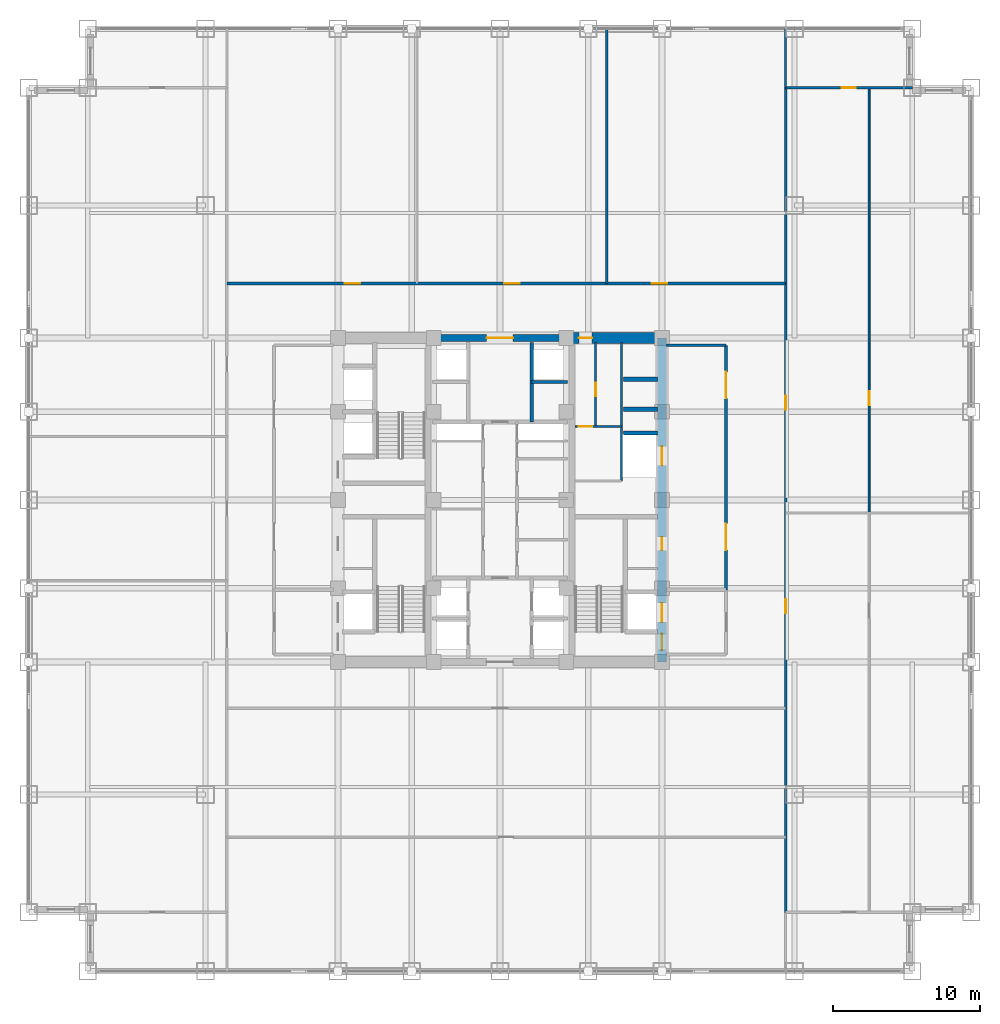
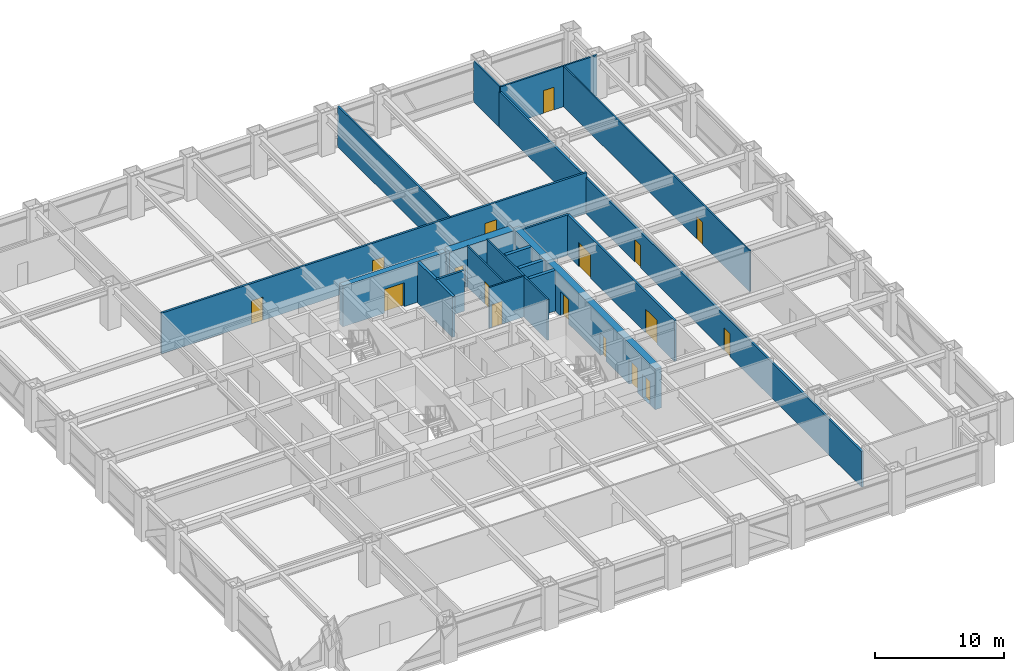
# One storey, part 26 of 28: 19 walls, 17 doors, 17 openings.
"""IFC4 building model written with IfcOpenShell, lengths in metres."""

from ifc_helpers import new_model, si_unit, direction, frame, frame_2d, origin, place, context, subcontext, project, spatial, rectangle, extrude, source, transform, mapped, material, layer, layer_set, type_object, element, fill, save


model = new_model("IFC4")

# Units and contexts
model_context = context("Model", 3, precision=1e-05, world=origin(), true_north=direction((0.0, 1.0)))
body_context = subcontext(model_context, "Body", "Model", "MODEL_VIEW")
ifc_project = project(units=[si_unit("LENGTHUNIT", "METRE"), si_unit("AREAUNIT", "SQUARE_METRE"), si_unit("VOLUMEUNIT", "CUBIC_METRE"), si_unit("PLANEANGLEUNIT", "RADIAN"), si_unit("MASSUNIT", "GRAM", prefix="KILO")], contexts=[model_context])

# Site, building, storey
site_placement = place(None, origin())
site = spatial("IfcSite", under=ifc_project, at=site_placement, CompositionType="ELEMENT")
building_placement = place(site_placement, origin())
building = spatial("IfcBuilding", under=site, at=building_placement, Name="Khorayat Bourse Tower", CompositionType="ELEMENT")
storey_placement = place(building_placement, frame((0.0, 0.0, 120.10009765625)))
storey = spatial("IfcBuildingStorey", under=building, at=storey_placement, Name="L27", CompositionType="ELEMENT", Elevation=120.10009765625)

# Wall, openings, doors
ifc_material_1 = material(Name="Concrete C60/75", Category="concrete")
ifc_layer_1 = layer(ifc_material_1, 0.60009765625)
ifc_layer_set_1 = layer_set([ifc_layer_1], Name="Concrete C60/75")
wall_type_1 = type_object("IfcWallType", Name="WAL-CORE-600", PredefinedType="SHEAR", material=ifc_layer_set_1)
shared_shape_1 = source(origin(), body_context, "Body", "SweptSolid", [
    extrude(rectangle(XDim=22.0, YDim=0.60009765625, at=frame_2d((11.0, 0.0))), origin(), (0.0, 0.0, 1.0), 3.83984375),
])
wall_1_placement = place(storey_placement, frame((11.0, -11.0, 0.0), z_axis=(0.0, 0.0, 1.0), x_axis=(0.0, 1.0, 0.0)))
wall_1 = element("IfcWall", 1, at=wall_1_placement, inside=storey, type_object=wall_type_1, Name="L27 Core Shear Wall CORE-E", PredefinedType="SHEAR", context=body_context, shape_type="MappedRepresentation", body=[
    mapped(shared_shape_1, transform((0.0, 0.0, 0.0), scale=1.0)),
])
shared_shape_2 = source(origin(), body_context, "Body", "SweptSolid", [
    extrude(rectangle(XDim=1.10009765625, YDim=2.199951171875, at=frame_2d((0.550048828125, 1.10009765625))), frame((0.0, 0.31005859375, 0.0), z_axis=(0.0, -1.0, 0.0), x_axis=(1.0, 0.0, 0.0)), (0.0, 0.0, 1.0), 0.6201171875),
])
opening_1_placement = place(wall_1_placement, frame((0.800048828125, 0.0, 0.0)))
opening_1 = element("IfcOpeningElement", 2, at=opening_1_placement, cuts=wall_1, Name="Opening DI-01", PredefinedType="OPENING", context=body_context, shape_type="MappedRepresentation", body=[
    mapped(shared_shape_2, transform((0.0, 0.0, 0.0), scale=1.0)),
])
shared_shape_3 = source(origin(), body_context, "Body", "SweptSolid", [
    extrude(rectangle(XDim=0.89990234375, YDim=2.14990234375, at=frame_2d((0.449951171875, 1.074951171875))), frame((0.0, 0.31005859375, 0.0), z_axis=(0.0, -1.0, 0.0), x_axis=(1.0, 0.0, 0.0)), (0.0, 0.0, 1.0), 0.6201171875),
])
opening_2_placement = place(wall_1_placement, frame((7.574951171875, 0.0, 0.0)))
opening_2 = element("IfcOpeningElement", 3, at=opening_2_placement, cuts=wall_1, Name="Opening DI-06", PredefinedType="OPENING", context=body_context, shape_type="MappedRepresentation", body=[
    mapped(shared_shape_3, transform((0.0, 0.0, 0.0), scale=1.0)),
])
shared_shape_4 = source(origin(), body_context, "Body", "SweptSolid", [
    extrude(rectangle(XDim=1.300048828125, YDim=2.300048828125, at=frame_2d((0.64990234375, 1.14990234375))), frame((0.0, 0.31005859375, 0.0), z_axis=(0.0, -1.0, 0.0), x_axis=(1.0, 0.0, 0.0)), (0.0, 0.0, 1.0), 0.6201171875),
])
opening_3_placement = place(wall_1_placement, frame((2.699951171875, 0.0, 0.0)))
opening_3 = element("IfcOpeningElement", 4, at=opening_3_placement, cuts=wall_1, Name="Opening LD-02", PredefinedType="OPENING", context=body_context, shape_type="MappedRepresentation", body=[
    mapped(shared_shape_4, transform((0.0, 0.0, 0.0), scale=1.0)),
])
opening_4_placement = place(wall_1_placement, frame((13.35009765625, 0.0, 0.0)))
opening_4 = element("IfcOpeningElement", 5, at=opening_4_placement, cuts=wall_1, Name="Opening LD-02", PredefinedType="OPENING", context=body_context, shape_type="MappedRepresentation", body=[
    mapped(shared_shape_4, transform((0.0, 0.0, 0.0), scale=1.0)),
])
ifc_material_2 = material(Name="Fire-rated steel acoustic leaf", Category="steel")
door_type_1 = type_object("IfcDoorType", Name="DR-INT-STAIR-1100", OperationType="NOTDEFINED", PredefinedType="DOOR", material=ifc_material_2)
shared_shape_5 = source(origin(), body_context, "Body", "SweptSolid", [
    extrude(rectangle(XDim=1.10009765625, YDim=2.199951171875, at=frame_2d((0.550048828125, 1.10009765625))), frame((0.0, 0.02490234375, 0.0), z_axis=(0.0, -1.0, 0.0), x_axis=(1.0, 0.0, 0.0)), (0.0, 0.0, 1.0), 0.050048828125),
])
door_1_placement = place(opening_1_placement, origin())
door_1 = element("IfcDoor", 6, at=door_1_placement, inside=storey, type_object=door_type_1, Name="L27 Exit Stair 3 Door", OperationType="SINGLE_SWING_LEFT", OverallHeight=2.199951171875, OverallWidth=1.10009765625, PredefinedType="DOOR", context=body_context, shape_type="MappedRepresentation", body=[
    mapped(shared_shape_5, transform((0.0, 0.0, 0.0), scale=1.0)),
])
fill(opening_1, door_1)
ifc_material_3 = material(Name="Moisture-resistant laminate washroom door")
door_type_2 = type_object("IfcDoorType", Name="DR-INT-WC-900", OperationType="NOTDEFINED", PredefinedType="DOOR", material=ifc_material_3)
shared_shape_6 = source(origin(), body_context, "Body", "SweptSolid", [
    extrude(rectangle(XDim=0.89990234375, YDim=2.14990234375, at=frame_2d((0.449951171875, 1.074951171875))), frame((0.0, 0.02490234375, 0.0), z_axis=(0.0, -1.0, 0.0), x_axis=(1.0, 0.0, 0.0)), (0.0, 0.0, 1.0), 0.050048828125),
])
door_2_placement = place(opening_2_placement, origin())
door_2 = element("IfcDoor", 7, at=door_2_placement, inside=storey, type_object=door_type_2, Name="L27 Fiber Server Plant Room Door", OperationType="SINGLE_SWING_LEFT", OverallHeight=2.14990234375, OverallWidth=0.89990234375, PredefinedType="DOOR", context=body_context, shape_type="MappedRepresentation", body=[
    mapped(shared_shape_6, transform((0.0, 0.0, 0.0), scale=1.0)),
])
fill(opening_2, door_2)
ifc_material_4 = material(Name="Fire-rated stainless-steel sliding landing door", Category="steel")
door_type_3 = type_object("IfcDoorType", Name="DR-LIFT-FF-1300", OperationType="NOTDEFINED", PredefinedType="DOOR", material=ifc_material_4)
shared_shape_7 = source(origin(), body_context, "Body", "SweptSolid", [
    extrude(rectangle(XDim=1.300048828125, YDim=2.300048828125, at=frame_2d((0.64990234375, 1.14990234375))), frame((0.0, 0.02490234375, 0.0), z_axis=(0.0, -1.0, 0.0), x_axis=(1.0, 0.0, 0.0)), (0.0, 0.0, 1.0), 0.050048828125),
])
door_3_placement = place(opening_3_placement, origin())
door_3 = element("IfcDoor", 8, at=door_3_placement, inside=storey, type_object=door_type_3, Name="L27 Lift FFL-02 Sliding Landing Door", OperationType="SLIDING_TO_LEFT", OverallHeight=2.300048828125, OverallWidth=1.300048828125, PredefinedType="DOOR", context=body_context, shape_type="MappedRepresentation", body=[
    mapped(shared_shape_7, transform((0.0, 0.0, 0.0), scale=1.0)),
])
fill(opening_3, door_3)
door_4_placement = place(opening_4_placement, origin())
door_4 = element("IfcDoor", 9, at=door_4_placement, inside=storey, type_object=door_type_3, Name="L27 Lift SVL-01 Sliding Landing Door", OperationType="SLIDING_TO_LEFT", OverallHeight=2.300048828125, OverallWidth=1.300048828125, PredefinedType="DOOR", context=body_context, shape_type="MappedRepresentation", body=[
    mapped(shared_shape_7, transform((0.0, 0.0, 0.0), scale=1.0)),
])
fill(opening_4, door_4)

# Wall, opening, door
ifc_material_5 = material(Name="Concrete C72/90", Category="concrete")
ifc_layer_2 = layer(ifc_material_5, 0.75)
ifc_layer_set_2 = layer_set([ifc_layer_2], Name="Concrete C72/90")
wall_type_2 = type_object("IfcWallType", Name="WAL-CORE-750", PredefinedType="SHEAR", material=ifc_layer_set_2)
shared_shape_8 = source(origin(), body_context, "Body", "SweptSolid", [
    extrude(rectangle(XDim=5.849853515625, YDim=0.75, at=frame_2d((2.9248046875, 0.0))), origin(), (0.0, 0.0, 1.0), 3.83984375),
])
wall_2_placement = place(storey_placement, frame((4.85009765625, 11.0, 0.0), z_axis=(0.0, 0.0, 1.0), x_axis=(1.0, 0.0, 0.0)))
wall_2 = element("IfcWall", 10, at=wall_2_placement, inside=storey, type_object=wall_type_2, Name="L27 Core Shear Wall PIER-EN", PredefinedType="SHEAR", context=body_context, shape_type="MappedRepresentation", body=[
    mapped(shared_shape_8, transform((0.0, 0.0, 0.0), scale=1.0)),
])
shared_shape_9 = source(origin(), body_context, "Body", "SweptSolid", [
    extrude(rectangle(XDim=0.89990234375, YDim=2.14990234375, at=frame_2d((0.449951171875, 1.074951171875))), frame((0.0, 0.385009765625, 0.0), z_axis=(0.0, -1.0, 0.0), x_axis=(1.0, 0.0, 0.0)), (0.0, 0.0, 1.0), 0.77001953125),
])
opening_5_placement = place(wall_2_placement, frame((0.5, 0.0, 0.0)))
opening_5 = element("IfcOpeningElement", 11, at=opening_5_placement, cuts=wall_2, Name="Opening DI-06", PredefinedType="OPENING", context=body_context, shape_type="MappedRepresentation", body=[
    mapped(shared_shape_9, transform((0.0, 0.0, 0.0), scale=1.0)),
])
door_5_placement = place(opening_5_placement, origin())
door_5 = element("IfcDoor", 12, at=door_5_placement, inside=storey, type_object=door_type_2, Name="L27 Core Washroom Lobby Door", OperationType="SINGLE_SWING_LEFT", OverallHeight=2.14990234375, OverallWidth=0.89990234375, PredefinedType="DOOR", context=body_context, shape_type="MappedRepresentation", body=[
    mapped(shared_shape_6, transform((0.0, 0.0, 0.0), scale=1.0)),
])
fill(opening_5, door_5)

ifc_material_6 = material(Name="Concrete C52/65", Category="concrete")
ifc_layer_3 = layer(ifc_material_6, 0.5)
ifc_layer_set_3 = layer_set([ifc_layer_3], Name="Concrete C52/65")
wall_type_3 = type_object("IfcWallType", Name="WAL-CORE-500", PredefinedType="SHEAR", material=ifc_layer_set_3)
shared_shape_10 = source(origin(), body_context, "Body", "SweptSolid", [
    extrude(rectangle(XDim=9.2001953125, YDim=0.5, at=frame_2d((4.60009765625, 0.0))), origin(), (0.0, 0.0, 1.0), 3.83984375),
])
wall_3_placement = place(storey_placement, frame((-4.60009765625, 11.0, 0.0), z_axis=(0.0, 0.0, 1.0), x_axis=(1.0, 0.0, 0.0)))
wall_3 = element("IfcWall", 13, at=wall_3_placement, inside=storey, type_object=wall_type_3, Name="L27 Core Shear Wall CORE-N", PredefinedType="SHEAR", context=body_context, shape_type="MappedRepresentation", body=[
    mapped(shared_shape_10, transform((0.0, 0.0, 0.0), scale=1.0)),
])
shared_shape_11 = source(origin(), body_context, "Body", "SweptSolid", [
    extrude(rectangle(XDim=1.800048828125, YDim=2.25, at=frame_2d((0.89990234375, 1.125))), frame((0.0, 0.260009765625, 0.0), z_axis=(0.0, -1.0, 0.0), x_axis=(1.0, 0.0, 0.0)), (0.0, 0.0, 1.0), 0.52001953125),
])
opening_6_placement = place(wall_3_placement, frame((3.699951171875, 0.0, 0.0)))
opening_6 = element("IfcOpeningElement", 14, at=opening_6_placement, cuts=wall_3, Name="Opening DI-03", PredefinedType="OPENING", context=body_context, shape_type="MappedRepresentation", body=[
    mapped(shared_shape_11, transform((0.0, 0.0, 0.0), scale=1.0)),
])
ifc_material_7 = material(Name="Fire-rated hardwood vision-panel double leaf", Category="wood")
door_type_4 = type_object("IfcDoorType", Name="DR-INT-CORR-1800", OperationType="NOTDEFINED", PredefinedType="DOOR", material=ifc_material_7)
shared_shape_12 = source(origin(), body_context, "Body", "SweptSolid", [
    extrude(rectangle(XDim=1.800048828125, YDim=2.25, at=frame_2d((0.89990234375, 1.125))), frame((0.0, 0.02490234375, 0.0), z_axis=(0.0, -1.0, 0.0), x_axis=(1.0, 0.0, 0.0)), (0.0, 0.0, 1.0), 0.050048828125),
])
door_6_placement = place(opening_6_placement, origin())
door_6 = element("IfcDoor", 15, at=door_6_placement, inside=storey, type_object=door_type_4, Name="L27 Mid-Rise Lift Lobby Door", OperationType="SINGLE_SWING_RIGHT", OverallHeight=2.25, OverallWidth=1.800048828125, PredefinedType="DOOR", context=body_context, shape_type="MappedRepresentation", body=[
    mapped(shared_shape_12, transform((0.0, 0.0, 0.0), scale=1.0)),
])
fill(opening_6, door_6)

# Walls
ifc_material_8 = material(Name="Concrete C50/60", Category="concrete")
ifc_layer_4 = layer(ifc_material_8, 0.300048828125)
ifc_layer_set_4 = layer_set([ifc_layer_4], Name="Concrete C50/60")
wall_type_4 = type_object("IfcWallType", Name="WAL-SHAFT-300", PredefinedType="SHEAR", material=ifc_layer_set_4)
shared_shape_13 = source(origin(), body_context, "Body", "SweptSolid", [
    extrude(rectangle(XDim=2.300048828125, YDim=0.300048828125, at=frame_2d((1.14990234375, 0.0))), origin(), (0.0, 0.0, 1.0), 3.83984375),
])
for number, where, z_axis, x_axis, name in (
    (16, (8.39990234375, 4.550048828125, 0.0), (0.0, 0.0, 1.0), (1.0, 0.0, 0.0), "L27 Partition WAL-L27-EPIER-SVLN"),
    (17, (8.39990234375, 6.14990234375, 0.0), (0.0, 0.0, 1.0), (1.0, 0.0, 0.0), "L27 Partition WAL-L27-EPIER-H3S"),
    (18, (8.39990234375, 8.199951171875, 0.0), (0.0, 0.0, 1.0), (1.0, 0.0, 0.0), "L27 Partition WAL-L27-EPIER-H34"),
):
    element("IfcWall", number, at=place(storey_placement, frame(where, z_axis=z_axis, x_axis=x_axis)), inside=storey, type_object=wall_type_4, Name=name, PredefinedType="SHEAR", context=body_context, shape_type="MappedRepresentation", body=[
        mapped(shared_shape_13, transform((0.0, 0.0, 0.0), scale=1.0)),
    ])
ifc_material_9 = material(Name="Moisture-resistant masonry partition", Category="masonry")
ifc_layer_5 = layer(ifc_material_9, 0.139892578125)
ifc_layer_set_5 = layer_set([ifc_layer_5], Name="Moisture-resistant masonry partition")
wall_type_5 = type_object("IfcWallType", Name="WAL-PART-WET-140", PredefinedType="PARTITIONING", material=ifc_layer_set_5)
shared_shape_14 = source(origin(), body_context, "Body", "SweptSolid", [
    extrude(rectangle(XDim=9.39990234375, YDim=0.139892578125, at=frame_2d((4.699951171875, 0.0))), origin(), (0.0, 0.0, 1.0), 3.83984375),
])
wall_4_placement = place(storey_placement, frame((8.25, 1.300048828125, 0.0), z_axis=(0.0, 0.0, 1.0), x_axis=(0.0, 1.0, 0.0)))
element("IfcWall", 19, at=wall_4_placement, inside=storey, type_object=wall_type_5, Name="L27 Partition WAL-L27-ECORE-E", PredefinedType="PARTITIONING", context=body_context, shape_type="MappedRepresentation", body=[
    mapped(shared_shape_14, transform((0.0, 0.0, 0.0), scale=1.0)),
])

# Wall, opening, door
shared_shape_15 = source(origin(), body_context, "Body", "SweptSolid", [
    extrude(rectangle(XDim=3.14990234375, YDim=0.139892578125, at=frame_2d((1.574951171875, 0.0))), origin(), (0.0, 0.0, 1.0), 3.83984375),
])
wall_5_placement = place(storey_placement, frame((5.10009765625, 5.0, 0.0), z_axis=(0.0, 0.0, 1.0), x_axis=(1.0, 0.0, 0.0)))
wall_5 = element("IfcWall", 20, at=wall_5_placement, inside=storey, type_object=wall_type_5, Name="L27 Partition WAL-L27-ECW-BOT", PredefinedType="PARTITIONING", context=body_context, shape_type="MappedRepresentation", body=[
    mapped(shared_shape_15, transform((0.0, 0.0, 0.0), scale=1.0)),
])
shared_shape_16 = source(origin(), body_context, "Body", "SweptSolid", [
    extrude(rectangle(XDim=0.89990234375, YDim=2.14990234375, at=frame_2d((0.449951171875, 1.074951171875))), frame((0.0, 0.079833984375, 0.0), z_axis=(0.0, -1.0, 0.0), x_axis=(1.0, 0.0, 0.0)), (0.0, 0.0, 1.0), 0.159912109375),
])
opening_7_placement = place(wall_5_placement, frame((0.25, 0.0, 0.0)))
opening_7 = element("IfcOpeningElement", 21, at=opening_7_placement, cuts=wall_5, Name="Opening DI-06", PredefinedType="OPENING", context=body_context, shape_type="MappedRepresentation", body=[
    mapped(shared_shape_16, transform((0.0, 0.0, 0.0), scale=1.0)),
])
door_7_placement = place(opening_7_placement, origin())
door_7 = element("IfcDoor", 22, at=door_7_placement, inside=storey, type_object=door_type_2, Name="L27 Shared Washroom Door", OperationType="SINGLE_SWING_LEFT", OverallHeight=2.14990234375, OverallWidth=0.89990234375, PredefinedType="DOOR", context=body_context, shape_type="MappedRepresentation", body=[
    mapped(shared_shape_6, transform((0.0, 0.0, 0.0), scale=1.0)),
])
fill(opening_7, door_7)

# Wall
ifc_material_10 = material(Name="Gypsum plasterboard acoustic stud wall")
ifc_layer_6 = layer(ifc_material_10, 0.179931640625)
ifc_layer_set_6 = layer_set([ifc_layer_6], Name="Gypsum plasterboard acoustic stud wall")
wall_type_6 = type_object("IfcWallType", Name="WAL-PART-CORR-180", PredefinedType="PARTITIONING", material=ifc_layer_set_6)
shared_shape_17 = source(origin(), body_context, "Body", "SweptSolid", [
    extrude(rectangle(XDim=4.050048828125, YDim=0.179931640625, at=frame_2d((2.02490234375, 0.0))), origin(), (0.0, 0.0, 1.0), 3.83984375),
])
wall_6_placement = place(storey_placement, frame((11.300048828125, 10.5, 0.0), z_axis=(0.0, 0.0, 1.0), x_axis=(1.0, 0.0, 0.0)))
element("IfcWall", 23, at=wall_6_placement, inside=storey, type_object=wall_type_6, Name="L27 Partition WAL-L27-ELOB-N", PredefinedType="PARTITIONING", context=body_context, shape_type="MappedRepresentation", body=[
    mapped(shared_shape_17, transform((0.0, 0.0, 0.0), scale=1.0)),
])

# Wall, openings, doors
shared_shape_18 = source(origin(), body_context, "Body", "SweptSolid", [
    extrude(rectangle(XDim=16.60009765625, YDim=0.179931640625, at=frame_2d((8.300048828125, 0.0))), origin(), (0.0, 0.0, 1.0), 3.83984375),
])
wall_7_placement = place(storey_placement, frame((15.35009765625, -6.10009765625, 0.0), z_axis=(0.0, 0.0, 1.0), x_axis=(0.0, 1.0, 0.0)))
wall_7 = element("IfcWall", 24, at=wall_7_placement, inside=storey, type_object=wall_type_6, Name="L27 Partition WAL-L27-ELOB-E", PredefinedType="PARTITIONING", context=body_context, shape_type="MappedRepresentation", body=[
    mapped(shared_shape_18, transform((0.0, 0.0, 0.0), scale=1.0)),
])
shared_shape_19 = source(origin(), body_context, "Body", "SweptSolid", [
    extrude(rectangle(XDim=1.800048828125, YDim=2.25, at=frame_2d((0.89990234375, 1.125))), frame((0.0, 0.099853515625, 0.0), z_axis=(0.0, -1.0, 0.0), x_axis=(1.0, 0.0, 0.0)), (0.0, 0.0, 1.0), 0.199951171875),
])
opening_8_placement = place(wall_7_placement, frame((2.699951171875, 0.0, 0.0)))
opening_8 = element("IfcOpeningElement", 25, at=opening_8_placement, cuts=wall_7, Name="Opening DI-03", PredefinedType="OPENING", context=body_context, shape_type="MappedRepresentation", body=[
    mapped(shared_shape_19, transform((0.0, 0.0, 0.0), scale=1.0)),
])
opening_9_placement = place(wall_7_placement, frame((13.0, 0.0, 0.0)))
opening_9 = element("IfcOpeningElement", 26, at=opening_9_placement, cuts=wall_7, Name="Opening DI-03", PredefinedType="OPENING", context=body_context, shape_type="MappedRepresentation", body=[
    mapped(shared_shape_19, transform((0.0, 0.0, 0.0), scale=1.0)),
])
door_8_placement = place(opening_8_placement, origin())
door_8 = element("IfcDoor", 27, at=door_8_placement, inside=storey, type_object=door_type_4, Name="L27 East Core Lobby South Door", OperationType="SINGLE_SWING_RIGHT", OverallHeight=2.25, OverallWidth=1.800048828125, PredefinedType="DOOR", context=body_context, shape_type="MappedRepresentation", body=[
    mapped(shared_shape_12, transform((0.0, 0.0, 0.0), scale=1.0)),
])
fill(opening_8, door_8)
door_9_placement = place(opening_9_placement, origin())
door_9 = element("IfcDoor", 28, at=door_9_placement, inside=storey, type_object=door_type_4, Name="L27 East Core Lobby North Door", OperationType="SINGLE_SWING_LEFT", OverallHeight=2.25, OverallWidth=1.800048828125, PredefinedType="DOOR", context=body_context, shape_type="MappedRepresentation", body=[
    mapped(shared_shape_12, transform((0.0, 0.0, 0.0), scale=1.0)),
])
fill(opening_9, door_9)

# Walls
shared_shape_20 = source(origin(), body_context, "Body", "SweptSolid", [
    extrude(rectangle(XDim=5.39990234375, YDim=0.25, at=frame_2d((2.699951171875, 0.0))), origin(), (0.0, 0.0, 1.0), 3.83984375),
])
wall_8_placement = place(storey_placement, frame((2.14990234375, 5.300048828125, 0.0), z_axis=(0.0, 0.0, 1.0), x_axis=(0.0, 1.0, 0.0)))
element("IfcWall", 29, at=wall_8_placement, inside=storey, type_object=wall_type_4, Name="L27 Partition WAL-L27-B2-E", PredefinedType="SHEAR", context=body_context, shape_type="MappedRepresentation", body=[
    mapped(shared_shape_20, transform((0.0, 0.0, 0.0), scale=1.0)),
])
shared_shape_21 = source(origin(), body_context, "Body", "SweptSolid", [
    extrude(rectangle(XDim=2.4501953125, YDim=0.199951171875, at=frame_2d((1.22509765625, 0.0))), origin(), (0.0, 0.0, 1.0), 3.83984375),
])
wall_9_placement = place(storey_placement, frame((2.14990234375, 8.0, 0.0), z_axis=(0.0, 0.0, 1.0), x_axis=(1.0, 0.0, 0.0)))
element("IfcWall", 30, at=wall_9_placement, inside=storey, type_object=wall_type_4, Name="L27 Partition WAL-L27-B2-ME", PredefinedType="SHEAR", context=body_context, shape_type="MappedRepresentation", body=[
    mapped(shared_shape_21, transform((0.0, 0.0, 0.0), scale=1.0)),
])
ifc_material_11 = material(Name="Gypsum plasterboard twin-frame partition")
ifc_layer_7 = layer(ifc_material_11, 0.14990234375)
ifc_layer_set_7 = layer_set([ifc_layer_7], Name="Gypsum plasterboard twin-frame partition")
wall_type_7 = type_object("IfcWallType", Name="WAL-PART-SUITE-150", PredefinedType="PARTITIONING", material=ifc_layer_set_7)
shared_shape_22 = source(origin(), body_context, "Body", "SweptSolid", [
    extrude(rectangle(XDim=4.0, YDim=0.14990234375, at=frame_2d((2.0, 0.0))), origin(), (0.0, 0.0, 1.0), 3.83984375),
])
wall_10_placement = place(storey_placement, frame((19.39990234375, 28.0, 0.0), z_axis=(0.0, 0.0, 1.0), x_axis=(0.0, 1.0, 0.0)))
element("IfcWall", 31, at=wall_10_placement, inside=storey, type_object=wall_type_7, Name="L27 Partition WAL-L27-NCE-END", PredefinedType="PARTITIONING", context=body_context, shape_type="MappedRepresentation", body=[
    mapped(shared_shape_22, transform((0.0, 0.0, 0.0), scale=1.0)),
])

# Wall, openings, doors
shared_shape_23 = source(origin(), body_context, "Body", "SweptSolid", [
    extrude(rectangle(XDim=56.0, YDim=0.179931640625, at=frame_2d((28.0, 0.0))), origin(), (0.0, 0.0, 1.0), 3.370849609375),
])
wall_11_placement = place(storey_placement, frame((19.39990234375, -28.0, 0.0), z_axis=(0.0, 0.0, 1.0), x_axis=(0.0, 1.0, 0.0)))
wall_11 = element("IfcWall", 32, at=wall_11_placement, inside=storey, type_object=wall_type_6, Name="L27 Partition WAL-L27-ECORR", PredefinedType="PARTITIONING", context=body_context, shape_type="MappedRepresentation", body=[
    mapped(shared_shape_23, transform((0.0, 0.0, 0.0), scale=1.0)),
])
shared_shape_24 = source(origin(), body_context, "Body", "SweptSolid", [
    extrude(rectangle(XDim=0.949951171875, YDim=2.14990234375, at=frame_2d((0.47509765625, 1.074951171875))), frame((0.0, 0.099853515625, 0.0), z_axis=(0.0, -1.0, 0.0), x_axis=(1.0, 0.0, 0.0)), (0.0, 0.0, 1.0), 0.199951171875),
])
opening_10_placement = place(wall_11_placement, frame((20.310546875, 0.0, 0.0)))
opening_10 = element("IfcOpeningElement", 33, at=opening_10_placement, cuts=wall_11, Name="Opening DI-05", PredefinedType="OPENING", context=body_context, shape_type="MappedRepresentation", body=[
    mapped(shared_shape_24, transform((0.0, 0.0, 0.0), scale=1.0)),
])
opening_11_placement = place(wall_11_placement, frame((34.135498046875, 0.0, 0.0)))
opening_11 = element("IfcOpeningElement", 34, at=opening_11_placement, cuts=wall_11, Name="Opening DI-05", PredefinedType="OPENING", context=body_context, shape_type="MappedRepresentation", body=[
    mapped(shared_shape_24, transform((0.0, 0.0, 0.0), scale=1.0)),
])
ifc_material_12 = material(Name="Acoustic oak veneer office door")
door_type_5 = type_object("IfcDoorType", Name="DR-INT-OFFICE-950", OperationType="NOTDEFINED", PredefinedType="DOOR", material=ifc_material_12)
shared_shape_25 = source(origin(), body_context, "Body", "SweptSolid", [
    extrude(rectangle(XDim=0.949951171875, YDim=2.14990234375, at=frame_2d((0.47509765625, 1.074951171875))), frame((0.0, 0.02490234375, 0.0), z_axis=(0.0, -1.0, 0.0), x_axis=(1.0, 0.0, 0.0)), (0.0, 0.0, 1.0), 0.050048828125),
])
door_10_placement = place(opening_10_placement, origin())
door_10 = element("IfcDoor", 35, at=door_10_placement, inside=storey, type_object=door_type_5, Name="L27 Clearing Operations Office E1 Door", OperationType="SINGLE_SWING_RIGHT", OverallHeight=2.14990234375, OverallWidth=0.949951171875, PredefinedType="DOOR", context=body_context, shape_type="MappedRepresentation", body=[
    mapped(shared_shape_25, transform((0.0, 0.0, 0.0), scale=1.0)),
])
fill(opening_10, door_10)
door_11_placement = place(opening_11_placement, origin())
door_11 = element("IfcDoor", 36, at=door_11_placement, inside=storey, type_object=door_type_5, Name="L27 Members Exchange Lounge E2 Door", OperationType="SINGLE_SWING_LEFT", OverallHeight=2.14990234375, OverallWidth=0.949951171875, PredefinedType="DOOR", context=body_context, shape_type="MappedRepresentation", body=[
    mapped(shared_shape_25, transform((0.0, 0.0, 0.0), scale=1.0)),
])
fill(opening_11, door_11)

# Wall, opening, door
shared_shape_26 = source(origin(), body_context, "Body", "SweptSolid", [
    extrude(rectangle(XDim=8.60009765625, YDim=0.14990234375, at=frame_2d((4.300048828125, 0.0))), origin(), (0.0, 0.0, 1.0), 3.83984375),
])
wall_12_placement = place(storey_placement, frame((19.39990234375, 28.0, 0.0), z_axis=(0.0, 0.0, 1.0), x_axis=(1.0, 0.0, 0.0)))
wall_12 = element("IfcWall", 37, at=wall_12_placement, inside=storey, type_object=wall_type_7, Name="L27 Partition WAL-L27-CNE", PredefinedType="PARTITIONING", context=body_context, shape_type="MappedRepresentation", body=[
    mapped(shared_shape_26, transform((0.0, 0.0, 0.0), scale=1.0)),
])
shared_shape_27 = source(origin(), body_context, "Body", "SweptSolid", [
    extrude(rectangle(XDim=0.949951171875, YDim=2.14990234375, at=frame_2d((0.47509765625, 1.074951171875))), frame((0.0, 0.0849609375, 0.0), z_axis=(0.0, -1.0, 0.0), x_axis=(1.0, 0.0, 0.0)), (0.0, 0.0, 1.0), 0.169921875),
])
opening_12_placement = place(wall_12_placement, frame((3.824951171875, 0.0, 0.0)))
opening_12 = element("IfcOpeningElement", 38, at=opening_12_placement, cuts=wall_12, Name="Opening DI-05", PredefinedType="OPENING", context=body_context, shape_type="MappedRepresentation", body=[
    mapped(shared_shape_27, transform((0.0, 0.0, 0.0), scale=1.0)),
])
door_12_placement = place(opening_12_placement, origin())
door_12 = element("IfcDoor", 39, at=door_12_placement, inside=storey, type_object=door_type_5, Name="L27 North-East Corner Lounge Door", OperationType="SINGLE_SWING_LEFT", OverallHeight=2.14990234375, OverallWidth=0.949951171875, PredefinedType="DOOR", context=body_context, shape_type="MappedRepresentation", body=[
    mapped(shared_shape_25, transform((0.0, 0.0, 0.0), scale=1.0)),
])
fill(opening_12, door_12)

shared_shape_28 = source(origin(), body_context, "Body", "SweptSolid", [
    extrude(rectangle(XDim=5.699951171875, YDim=0.139892578125, at=frame_2d((2.85009765625, 0.0))), origin(), (0.0, 0.0, 1.0), 3.83984375),
])
wall_13_placement = place(storey_placement, frame((6.5, 5.0, 0.0), z_axis=(0.0, 0.0, 1.0), x_axis=(0.0, 1.0, 0.0)))
wall_13 = element("IfcWall", 40, at=wall_13_placement, inside=storey, type_object=wall_type_5, Name="L27 Partition WAL-L27-ECW-MID", PredefinedType="PARTITIONING", context=body_context, shape_type="MappedRepresentation", body=[
    mapped(shared_shape_28, transform((0.0, 0.0, 0.0), scale=1.0)),
])
opening_13_placement = place(wall_13_placement, frame((2.050048828125, 0.0, 0.0)))
opening_13 = element("IfcOpeningElement", 41, at=opening_13_placement, cuts=wall_13, Name="Opening DI-06", PredefinedType="OPENING", context=body_context, shape_type="MappedRepresentation", body=[
    mapped(shared_shape_16, transform((0.0, 0.0, 0.0), scale=1.0)),
])
door_13_placement = place(opening_13_placement, origin())
door_13 = element("IfcDoor", 42, at=door_13_placement, inside=storey, type_object=door_type_2, Name="L27 Accessible WC Door", OperationType="SINGLE_SWING_RIGHT", OverallHeight=2.14990234375, OverallWidth=0.89990234375, PredefinedType="DOOR", context=body_context, shape_type="MappedRepresentation", body=[
    mapped(shared_shape_6, transform((0.0, 0.0, 0.0), scale=1.0)),
])
fill(opening_13, door_13)

# Wall, openings, doors
shared_shape_29 = source(origin(), body_context, "Body", "SweptSolid", [
    extrude(rectangle(XDim=37.949951171875, YDim=0.179931640625, at=frame_2d((18.97509765625, 0.0))), origin(), (0.0, 0.0, 1.0), 3.83984375),
])
wall_14_placement = place(storey_placement, frame((-18.550048828125, 14.699951171875, 0.0), z_axis=(0.0, 0.0, 1.0), x_axis=(1.0, 0.0, 0.0)))
wall_14 = element("IfcWall", 43, at=wall_14_placement, inside=storey, type_object=wall_type_6, Name="L27 Partition WAL-L27-NCORR", PredefinedType="PARTITIONING", context=body_context, shape_type="MappedRepresentation", body=[
    mapped(shared_shape_29, transform((0.0, 0.0, 0.0), scale=1.0)),
])
shared_shape_30 = source(origin(), body_context, "Body", "SweptSolid", [
    extrude(rectangle(XDim=1.050048828125, YDim=2.199951171875, at=frame_2d((0.52490234375, 1.10009765625))), frame((0.0, 0.099853515625, 0.0), z_axis=(0.0, -1.0, 0.0), x_axis=(1.0, 0.0, 0.0)), (0.0, 0.0, 1.0), 0.199951171875),
])
opening_14_placement = place(wall_14_placement, frame((8.00146484375, 0.0, 0.0)))
opening_14 = element("IfcOpeningElement", 44, at=opening_14_placement, cuts=wall_14, Name="Opening DI-04", PredefinedType="OPENING", context=body_context, shape_type="MappedRepresentation", body=[
    mapped(shared_shape_30, transform((0.0, 0.0, 0.0), scale=1.0)),
])
opening_15_placement = place(wall_14_placement, frame((18.82958984375, 0.0, 0.0)))
opening_15 = element("IfcOpeningElement", 45, at=opening_15_placement, cuts=wall_14, Name="Opening DI-04", PredefinedType="OPENING", context=body_context, shape_type="MappedRepresentation", body=[
    mapped(shared_shape_30, transform((0.0, 0.0, 0.0), scale=1.0)),
])
opening_16_placement = place(wall_14_placement, frame((28.85302734375, 0.0, 0.0)))
opening_16 = element("IfcOpeningElement", 46, at=opening_16_placement, cuts=wall_14, Name="Opening DI-04", PredefinedType="OPENING", context=body_context, shape_type="MappedRepresentation", body=[
    mapped(shared_shape_30, transform((0.0, 0.0, 0.0), scale=1.0)),
])
ifc_material_13 = material(Name="Fire-rated oak veneer suite entrance door")
door_type_6 = type_object("IfcDoorType", Name="DR-INT-SUITE-1050", OperationType="NOTDEFINED", PredefinedType="DOOR", material=ifc_material_13)
shared_shape_31 = source(origin(), body_context, "Body", "SweptSolid", [
    extrude(rectangle(XDim=1.050048828125, YDim=2.199951171875, at=frame_2d((0.52490234375, 1.10009765625))), frame((0.0, 0.02490234375, 0.0), z_axis=(0.0, -1.0, 0.0), x_axis=(1.0, 0.0, 0.0)), (0.0, 0.0, 1.0), 0.050048828125),
])
door_14_placement = place(opening_14_placement, origin())
door_14 = element("IfcDoor", 47, at=door_14_placement, inside=storey, type_object=door_type_6, Name="L27 Market Risk Analytics Workspace N1 Door", OperationType="SINGLE_SWING_RIGHT", OverallHeight=2.199951171875, OverallWidth=1.050048828125, PredefinedType="DOOR", context=body_context, shape_type="MappedRepresentation", body=[
    mapped(shared_shape_31, transform((0.0, 0.0, 0.0), scale=1.0)),
])
fill(opening_14, door_14)
door_15_placement = place(opening_15_placement, origin())
door_15 = element("IfcDoor", 48, at=door_15_placement, inside=storey, type_object=door_type_6, Name="L27 Equities Trading Desk N2 Door", OperationType="SINGLE_SWING_LEFT", OverallHeight=2.199951171875, OverallWidth=1.050048828125, PredefinedType="DOOR", context=body_context, shape_type="MappedRepresentation", body=[
    mapped(shared_shape_31, transform((0.0, 0.0, 0.0), scale=1.0)),
])
fill(opening_15, door_15)
door_16_placement = place(opening_16_placement, origin())
door_16 = element("IfcDoor", 49, at=door_16_placement, inside=storey, type_object=door_type_6, Name="L27 Quantitative Research Study N3 Door", OperationType="SINGLE_SWING_RIGHT", OverallHeight=2.199951171875, OverallWidth=1.050048828125, PredefinedType="DOOR", context=body_context, shape_type="MappedRepresentation", body=[
    mapped(shared_shape_31, transform((0.0, 0.0, 0.0), scale=1.0)),
])
fill(opening_16, door_16)

# Wall
shared_shape_32 = source(origin(), body_context, "Body", "SweptSolid", [
    extrude(rectangle(XDim=17.300048828125, YDim=0.14990234375, at=frame_2d((8.64990234375, 0.0))), origin(), (0.0, 0.0, 1.0), 3.83984375),
])
wall_15_placement = place(storey_placement, frame((7.256103515625, 14.699951171875, 0.0), z_axis=(0.0, 0.0, 1.0), x_axis=(0.0, 1.0, 0.0)))
element("IfcWall", 50, at=wall_15_placement, inside=storey, type_object=wall_type_7, Name="L27 Partition WAL-L27-NDV-2", PredefinedType="PARTITIONING", context=body_context, shape_type="MappedRepresentation", body=[
    mapped(shared_shape_32, transform((0.0, 0.0, 0.0), scale=1.0)),
])

# Wall, opening, door
ifc_material_14 = material(Name="Gypsum plasterboard partition")
ifc_layer_8 = layer(ifc_material_14, 0.125)
ifc_layer_set_8 = layer_set([ifc_layer_8], Name="Gypsum plasterboard partition")
wall_type_8 = type_object("IfcWallType", Name="WAL-PART-ROOM-125", PredefinedType="PARTITIONING", material=ifc_layer_set_8)
shared_shape_33 = source(origin(), body_context, "Body", "SweptSolid", [
    extrude(rectangle(XDim=28.87890625, YDim=0.125, at=frame_2d((14.439453125, 0.0))), origin(), (0.0, 0.0, 1.0), 3.83984375),
])
wall_16_placement = place(storey_placement, frame((25.070068359375, -0.87890625, 0.0), z_axis=(0.0, 0.0, 1.0), x_axis=(0.0, 1.0, 0.0)))
wall_16 = element("IfcWall", 51, at=wall_16_placement, inside=storey, type_object=wall_type_8, Name="L27 Partition WAL-L27-EDP-2", PredefinedType="PARTITIONING", context=body_context, shape_type="MappedRepresentation", body=[
    mapped(shared_shape_33, transform((0.0, 0.0, 0.0), scale=1.0)),
])
shared_shape_34 = source(origin(), body_context, "Body", "SweptSolid", [
    extrude(rectangle(XDim=0.949951171875, YDim=2.14990234375, at=frame_2d((0.47509765625, 1.074951171875))), frame((0.0, 0.072509765625, 0.0), z_axis=(0.0, -1.0, 0.0), x_axis=(1.0, 0.0, 0.0)), (0.0, 0.0, 1.0), 0.14501953125),
])
opening_17_placement = place(wall_16_placement, frame((7.314453125, 0.0, 0.0)))
opening_17 = element("IfcOpeningElement", 52, at=opening_17_placement, cuts=wall_16, Name="Opening DI-05", PredefinedType="OPENING", context=body_context, shape_type="MappedRepresentation", body=[
    mapped(shared_shape_34, transform((0.0, 0.0, 0.0), scale=1.0)),
])
door_17_placement = place(opening_17_placement, origin())
door_17 = element("IfcDoor", 53, at=door_17_placement, inside=storey, type_object=door_type_5, Name="L27 Equities Trading Desk E2B Door", OperationType="SINGLE_SWING_LEFT", OverallHeight=2.14990234375, OverallWidth=0.949951171875, PredefinedType="DOOR", context=body_context, shape_type="MappedRepresentation", body=[
    mapped(shared_shape_25, transform((0.0, 0.0, 0.0), scale=1.0)),
])
fill(opening_17, door_17)

save(model, "model.ifc")
